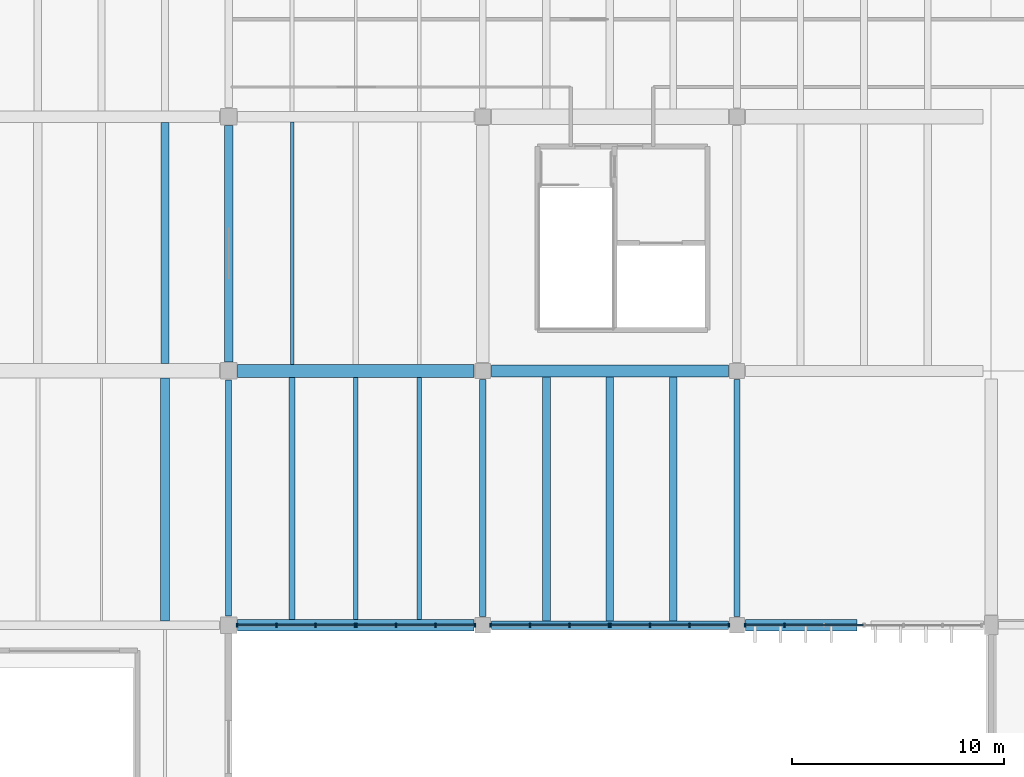
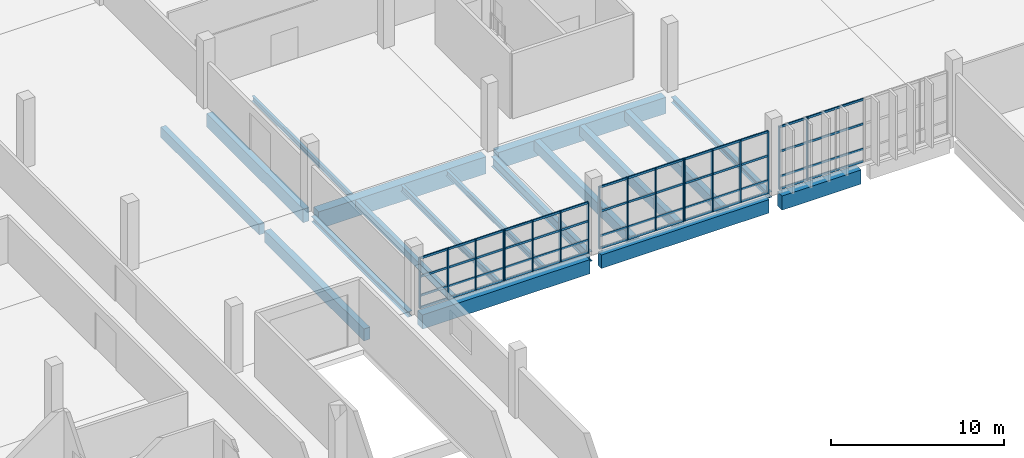
# One storey, part 27 of 112: 38 members, 18 beams, 5 elements without a shape of their own.
"""IFC4 building model written with IfcOpenShell, lengths in metres."""

from ifc_helpers import new_model, si_unit, direction, frame, origin, origin_2d, place, context, subcontext, project, spatial, rectangle, i_section, extrude, material, material_profile, profile_set, type_object, element, aggregate, save


model = new_model("IFC4")

# Units and contexts
model_context = context("Model", 3, precision=1e-05, world=origin(), true_north=direction((0.0, 1.0)))
body_context = subcontext(model_context, "Body", "Model", "MODEL_VIEW")
ifc_project = project(units=[si_unit("LENGTHUNIT", "METRE"), si_unit("AREAUNIT", "SQUARE_METRE"), si_unit("VOLUMEUNIT", "CUBIC_METRE"), si_unit("PLANEANGLEUNIT", "RADIAN"), si_unit("MASSUNIT", "GRAM", prefix="KILO")], contexts=[model_context])

# Site, building, storey
site_placement = place(None, origin())
site = spatial("IfcSite", under=ifc_project, at=site_placement, CompositionType="ELEMENT")
building_placement = place(site_placement, origin())
building = spatial("IfcBuilding", under=site, at=building_placement, Name="Kamomehara Wholesale Market", CompositionType="ELEMENT")
storey_placement = place(building_placement, frame((0.0, 0.0, 6.60009765625)))
storey = spatial("IfcBuildingStorey", under=building, at=storey_placement, Name="L01", CompositionType="ELEMENT", Elevation=6.60009765625)

# Beams
ifc_material_1 = material(Name="Precast concrete Fc45 (C40/50)", Category="concrete")
ifc_material_profile_1 = material_profile(ifc_material_1, rectangle(XDim=0.550048828125, YDim=1.14990234375, at=origin_2d()), Name="PC-GRD-550x1150")
ifc_profile_set_1 = profile_set([ifc_material_profile_1], Name="Precast concrete Fc45 (C40/50)")
beam_type_1 = type_object("IfcBeamType", Name="BM-PG1150", PredefinedType="T_BEAM", material=ifc_profile_set_1)
beam_1_placement = place(storey_placement, frame((48.409912109375, 120.0, -0.927001953125), z_axis=(1.0, 0.0, 0.0), x_axis=(0.0, 1.0, 0.0)))
element("IfcBeam", 1, at=beam_1_placement, inside=storey, type_object=beam_type_1, Name="Beam PG-06 L01", PredefinedType="T_BEAM", context=body_context, shape_type="SweptSolid", body=[
    extrude(rectangle(XDim=0.550048828125, YDim=1.14990234375, at=origin_2d()), origin(), (0.0, 0.0, 1.0), 11.18017578125),
])
ifc_material_2 = material(Name="Precast concrete Fc45 (C40/50)", Category="concrete")
ifc_material_profile_2 = material_profile(ifc_material_2, rectangle(XDim=0.60009765625, YDim=1.199951171875, at=origin_2d()), Name="PC-GRD-600x1200")
ifc_profile_set_2 = profile_set([ifc_material_profile_2], Name="Precast concrete Fc45 (C40/50)")
beam_type_2 = type_object("IfcBeamType", Name="BM-PG1200", PredefinedType="T_BEAM", material=ifc_profile_set_2)
beam_2_placement = place(storey_placement, frame((36.425048828125, 120.0, -0.922119140625), z_axis=(1.0, 0.0, 0.0), x_axis=(0.0, 1.0, 0.0)))
element("IfcBeam", 2, at=beam_2_placement, inside=storey, type_object=beam_type_2, Name="Beam PG-05 L01", PredefinedType="T_BEAM", context=body_context, shape_type="SweptSolid", body=[
    extrude(rectangle(XDim=0.60009765625, YDim=1.199951171875, at=origin_2d()), origin(), (0.0, 0.0, 1.0), 11.1650390625),
])
ifc_material_3 = material(Name="Precast concrete Fc45 (C40/50)", Category="concrete")
ifc_material_profile_3 = material_profile(ifc_material_3, rectangle(XDim=0.280029296875, YDim=0.5, at=origin_2d()), Name="PC-JST-280x500")
ifc_profile_set_3 = profile_set([ifc_material_profile_3], Name="Precast concrete Fc45 (C40/50)")
beam_type_3 = type_object("IfcBeamType", Name="BM-PJ500", PredefinedType="JOIST", material=ifc_profile_set_3)
beam_3_placement = place(storey_placement, frame((39.0, 108.27490234375, -0.572021484375), z_axis=(0.0, 1.0, 0.0), x_axis=(-1.0, 0.0, 0.0)))
element("IfcBeam", 3, at=beam_3_placement, inside=storey, type_object=beam_type_3, Name="Beam PJ-11 L01", PredefinedType="JOIST", context=body_context, shape_type="SweptSolid", body=[
    extrude(rectangle(XDim=0.280029296875, YDim=0.5, at=origin_2d()), origin(), (0.0, 0.0, 1.0), 11.425048828125),
])
ifc_material_4 = material(Name="Precast concrete Fc45 (C40/50)", Category="concrete")
ifc_material_profile_4 = material_profile(ifc_material_4, rectangle(XDim=0.35009765625, YDim=0.699951171875, at=origin_2d()), Name="PC-JST-350x700")
ifc_profile_set_4 = profile_set([ifc_material_profile_4], Name="Precast concrete Fc45 (C40/50)")
beam_type_4 = type_object("IfcBeamType", Name="BM-PJ700", PredefinedType="JOIST", material=ifc_profile_set_4)
beam_4_placement = place(storey_placement, frame((57.0, 108.199951171875, -0.68212890625), z_axis=(0.0, 1.0, 0.0), x_axis=(-1.0, 0.0, 0.0)))
element("IfcBeam", 4, at=beam_4_placement, inside=storey, type_object=beam_type_4, Name="Beam PJ-03 L01", PredefinedType="JOIST", context=body_context, shape_type="SweptSolid", body=[
    extrude(rectangle(XDim=0.35009765625, YDim=0.699951171875, at=origin_2d()), origin(), (0.0, 0.0, 1.0), 11.525146484375),
])
ifc_material_5 = material(Name="Precast concrete Fc45 (C40/50)", Category="concrete")
ifc_material_profile_5 = material_profile(ifc_material_5, rectangle(XDim=0.360107421875, YDim=0.719970703125, at=origin_2d()), Name="PC-JST-360x720")
ifc_profile_set_5 = profile_set([ifc_material_profile_5], Name="Precast concrete Fc45 (C40/50)")
beam_type_5 = type_object("IfcBeamType", Name="BM-PJ720", PredefinedType="JOIST", material=ifc_profile_set_5)
beam_5_placement = place(storey_placement, frame((33.0, 120.340087890625, -0.712158203125), z_axis=(0.0, 1.0, 0.0), x_axis=(-1.0, 0.0, 0.0)))
element("IfcBeam", 5, at=beam_5_placement, inside=storey, type_object=beam_type_5, Name="Beam PJ-08 L01", PredefinedType="JOIST", context=body_context, shape_type="SweptSolid", body=[
    extrude(rectangle(XDim=0.360107421875, YDim=0.719970703125, at=origin_2d()), origin(), (0.0, 0.0, 1.0), 11.385009765625),
])
beam_6_placement = place(storey_placement, frame((54.0, 108.199951171875, -0.692138671875), z_axis=(0.0, 1.0, 0.0), x_axis=(-1.0, 0.0, 0.0)))
element("IfcBeam", 6, at=beam_6_placement, inside=storey, type_object=beam_type_5, Name="Beam PJ-08 L01", PredefinedType="JOIST", context=body_context, shape_type="SweptSolid", body=[
    extrude(rectangle(XDim=0.360107421875, YDim=0.719970703125, at=origin_2d()), origin(), (0.0, 0.0, 1.0), 11.525146484375),
])
ifc_material_6 = material(Name="Precast concrete Fc45 (C40/50)", Category="concrete")
ifc_material_profile_6 = material_profile(ifc_material_6, rectangle(XDim=0.3798828125, YDim=0.75, at=origin_2d()), Name="PC-JST-380x750")
ifc_profile_set_6 = profile_set([ifc_material_profile_6], Name="Precast concrete Fc45 (C40/50)")
beam_type_6 = type_object("IfcBeamType", Name="BM-PJ750", PredefinedType="JOIST", material=ifc_profile_set_6)
beam_7_placement = place(storey_placement, frame((51.0, 108.199951171875, -0.70703125), z_axis=(0.0, 1.0, 0.0), x_axis=(-1.0, 0.0, 0.0)))
element("IfcBeam", 7, at=beam_7_placement, inside=storey, type_object=beam_type_6, Name="Beam PJ-02 L01", PredefinedType="JOIST", context=body_context, shape_type="SweptSolid", body=[
    extrude(rectangle(XDim=0.3798828125, YDim=0.75, at=origin_2d()), origin(), (0.0, 0.0, 1.0), 11.525146484375),
])
ifc_material_7 = material(Name="Precast concrete Fc45 (C40/50)", Category="concrete")
ifc_material_profile_7 = material_profile(ifc_material_7, rectangle(XDim=0.419921875, YDim=0.840087890625, at=origin_2d()), Name="PC-JST-420x840")
ifc_profile_set_7 = profile_set([ifc_material_profile_7], Name="Precast concrete Fc45 (C40/50)")
beam_type_7 = type_object("IfcBeamType", Name="BM-PJ840", PredefinedType="JOIST", material=ifc_profile_set_7)
beam_8_placement = place(storey_placement, frame((33.0, 108.199951171875, -0.752197265625), z_axis=(0.0, 1.0, 0.0), x_axis=(-1.0, 0.0, 0.0)))
element("IfcBeam", 8, at=beam_8_placement, inside=storey, type_object=beam_type_7, Name="Beam PJ-07 L01", PredefinedType="JOIST", context=body_context, shape_type="SweptSolid", body=[
    extrude(rectangle(XDim=0.419921875, YDim=0.840087890625, at=origin_2d()), origin(), (0.0, 0.0, 1.0), 11.4599609375),
])
ifc_material_8 = material(Name="Concrete Fc36 (C35/45)", Category="concrete")
ifc_material_profile_8 = material_profile(ifc_material_8, rectangle(XDim=0.550048828125, YDim=1.0, at=origin_2d()), Name="RC-SEB-550x1000")
ifc_profile_set_8 = profile_set([ifc_material_profile_8], Name="Concrete Fc36 (C35/45)")
beam_type_8 = type_object("IfcBeamType", Name="BM-SEB1000-EXT", PredefinedType="SPANDREL", material=ifc_profile_set_8)
beam_9_placement = place(storey_placement, frame((36.425048828125, 108.0, -0.822021484375), z_axis=(1.0, 0.0, 0.0), x_axis=(0.0, 1.0, 0.0)))
element("IfcBeam", 9, at=beam_9_placement, inside=storey, type_object=beam_type_8, Name="Beam SEB-03E L01", PredefinedType="SPANDREL", context=body_context, shape_type="SweptSolid", body=[
    extrude(rectangle(XDim=0.550048828125, YDim=1.0, at=origin_2d()), origin(), (0.0, 0.0, 1.0), 11.1650390625),
])
beam_10_placement = place(storey_placement, frame((60.409912109375, 108.0, -0.83203125), z_axis=(1.0, 0.0, 0.0), x_axis=(0.0, 1.0, 0.0)))
element("IfcBeam", 10, at=beam_10_placement, inside=storey, type_object=beam_type_8, Name="Beam SEB-03E L01", PredefinedType="SPANDREL", context=body_context, shape_type="SweptSolid", body=[
    extrude(rectangle(XDim=0.550048828125, YDim=1.0, at=origin_2d()), origin(), (0.0, 0.0, 1.0), 5.26513671875),
])
ifc_material_9 = material(Name="Precast concrete Fc45 (C40/50)", Category="concrete")
ifc_material_profile_9 = material_profile(ifc_material_9, rectangle(XDim=0.39990234375, YDim=0.949951171875, at=origin_2d()), Name="PC-SPN-400x950")
ifc_profile_set_9 = profile_set([ifc_material_profile_9], Name="Precast concrete Fc45 (C40/50)")
beam_type_9 = type_object("IfcBeamType", Name="BM-SPN950-EXT", PredefinedType="SPANDREL", material=ifc_profile_set_9)
beam_11_placement = place(storey_placement, frame((48.409912109375, 108.0, -0.80712890625), z_axis=(1.0, 0.0, 0.0), x_axis=(0.0, 1.0, 0.0)))
element("IfcBeam", 11, at=beam_11_placement, inside=storey, type_object=beam_type_9, Name="Beam SPN-01E L01", PredefinedType="SPANDREL", context=body_context, shape_type="SweptSolid", body=[
    extrude(rectangle(XDim=0.39990234375, YDim=0.949951171875, at=origin_2d()), origin(), (0.0, 0.0, 1.0), 11.18017578125),
])
beam_12_placement = place(storey_placement, frame((36.0, 120.425048828125, -0.8271484375), z_axis=(0.0, 1.0, 0.0), x_axis=(-1.0, 0.0, 0.0)))
element("IfcBeam", 12, at=beam_12_placement, inside=storey, type_object=beam_type_9, Name="Beam SPN-01E L01", PredefinedType="SPANDREL", context=body_context, shape_type="SweptSolid", body=[
    extrude(rectangle(XDim=0.39990234375, YDim=0.949951171875, at=origin_2d()), origin(), (0.0, 0.0, 1.0), 11.14990234375),
])
ifc_material_10 = material(Name="Steel SN400B", Category="steel")
ifc_material_profile_10 = material_profile(ifc_material_10, i_section(OverallWidth=0.175048828125, OverallDepth=0.35009765625, WebThickness=0.007080078125, FlangeThickness=0.010986328125, FilletRadius=0.012939453125, at=origin_2d()), Name="H-350x175x7x11")
ifc_profile_set_10 = profile_set([ifc_material_profile_10], Name="Steel SN400B")
beam_type_10 = type_object("IfcBeamType", Name="BM-ST-H350", PredefinedType="JOIST", material=ifc_profile_set_10)
beam_13_placement = place(storey_placement, frame((39.0, 120.300048828125, -0.487060546875), z_axis=(0.0, 1.0, 0.0), x_axis=(-1.0, 0.0, 0.0)))
element("IfcBeam", 13, at=beam_13_placement, inside=storey, type_object=beam_type_10, Name="Beam SJ-04 L01", PredefinedType="JOIST", context=body_context, shape_type="SweptSolid", body=[
    extrude(i_section(OverallWidth=0.175048828125, OverallDepth=0.35009765625, WebThickness=0.007080078125, FlangeThickness=0.010986328125, FilletRadius=0.012939453125, at=origin_2d()), origin(), (0.0, 0.0, 1.0), 11.4599609375),
])
ifc_material_11 = material(Name="Steel SN490B", Category="steel")
ifc_material_profile_11 = material_profile(ifc_material_11, i_section(OverallWidth=0.300048828125, OverallDepth=0.389892578125, WebThickness=0.010009765625, FlangeThickness=0.01611328125, FilletRadius=0.01806640625, at=origin_2d()), Name="H-390x300x10x16")
ifc_profile_set_11 = profile_set([ifc_material_profile_11], Name="Steel SN490B")
beam_type_11 = type_object("IfcBeamType", Name="BM-ST-H390-EXT", PredefinedType="SPANDREL", material=ifc_profile_set_11)
beam_14_placement = place(storey_placement, frame((36.0, 108.425048828125, -0.527099609375), z_axis=(0.0, 1.0, 0.0), x_axis=(-1.0, 0.0, 0.0)))
element("IfcBeam", 14, at=beam_14_placement, inside=storey, type_object=beam_type_11, Name="Beam SJ-03E L01", PredefinedType="SPANDREL", context=body_context, shape_type="SweptSolid", body=[
    extrude(i_section(OverallWidth=0.300048828125, OverallDepth=0.389892578125, WebThickness=0.010009765625, FlangeThickness=0.01611328125, FilletRadius=0.01806640625, at=origin_2d()), origin(), (0.0, 0.0, 1.0), 11.14990234375),
])
beam_15_placement = place(storey_placement, frame((60.0, 108.409912109375, -0.527099609375), z_axis=(0.0, 1.0, 0.0), x_axis=(-1.0, 0.0, 0.0)))
element("IfcBeam", 15, at=beam_15_placement, inside=storey, type_object=beam_type_11, Name="Beam SJ-03E L01", PredefinedType="SPANDREL", context=body_context, shape_type="SweptSolid", body=[
    extrude(i_section(OverallWidth=0.300048828125, OverallDepth=0.389892578125, WebThickness=0.010009765625, FlangeThickness=0.01611328125, FilletRadius=0.01806640625, at=origin_2d()), origin(), (0.0, 0.0, 1.0), 11.18017578125),
])
ifc_material_12 = material(Name="Steel SN400B", Category="steel")
ifc_material_profile_12 = material_profile(ifc_material_12, i_section(OverallWidth=0.199951171875, OverallDepth=0.39990234375, WebThickness=0.008056640625, FlangeThickness=0.012939453125, FilletRadius=0.012939453125, at=origin_2d()), Name="H-400x200x8x13")
ifc_profile_set_12 = profile_set([ifc_material_profile_12], Name="Steel SN400B")
beam_type_12 = type_object("IfcBeamType", Name="BM-ST-H400", PredefinedType="JOIST", material=ifc_profile_set_12)
beam_16_placement = place(storey_placement, frame((45.0, 108.27490234375, -0.522216796875), z_axis=(0.0, 1.0, 0.0), x_axis=(-1.0, 0.0, 0.0)))
element("IfcBeam", 16, at=beam_16_placement, inside=storey, type_object=beam_type_12, Name="Beam SJ-02 L01", PredefinedType="JOIST", context=body_context, shape_type="SweptSolid", body=[
    extrude(i_section(OverallWidth=0.199951171875, OverallDepth=0.39990234375, WebThickness=0.008056640625, FlangeThickness=0.012939453125, FilletRadius=0.012939453125, at=origin_2d()), origin(), (0.0, 0.0, 1.0), 11.425048828125),
])
ifc_material_13 = material(Name="Steel SN400B", Category="steel")
ifc_material_profile_13 = material_profile(ifc_material_13, i_section(OverallWidth=0.199951171875, OverallDepth=0.449951171875, WebThickness=0.009033203125, FlangeThickness=0.013916015625, FilletRadius=0.012939453125, at=origin_2d()), Name="H-450x200x9x14")
ifc_profile_set_13 = profile_set([ifc_material_profile_13], Name="Steel SN400B")
beam_type_13 = type_object("IfcBeamType", Name="BM-ST-H450", PredefinedType="JOIST", material=ifc_profile_set_13)
beam_17_placement = place(storey_placement, frame((42.0, 108.27490234375, -0.547119140625), z_axis=(0.0, 1.0, 0.0), x_axis=(-1.0, 0.0, 0.0)))
element("IfcBeam", 17, at=beam_17_placement, inside=storey, type_object=beam_type_13, Name="Beam SJ-01 L01", PredefinedType="JOIST", context=body_context, shape_type="SweptSolid", body=[
    extrude(i_section(OverallWidth=0.199951171875, OverallDepth=0.449951171875, WebThickness=0.009033203125, FlangeThickness=0.013916015625, FilletRadius=0.012939453125, at=origin_2d()), origin(), (0.0, 0.0, 1.0), 11.425048828125),
])
ifc_material_14 = material(Name="Steel SN490B", Category="steel")
ifc_material_profile_14 = material_profile(ifc_material_14, i_section(OverallWidth=0.300048828125, OverallDepth=0.699951171875, WebThickness=0.012939453125, FlangeThickness=0.02392578125, FilletRadius=0.02197265625, at=origin_2d()), Name="H-700x300x13x24")
ifc_profile_set_14 = profile_set([ifc_material_profile_14], Name="Steel SN490B")
beam_type_14 = type_object("IfcBeamType", Name="BM-ST-H700", PredefinedType="BEAM", material=ifc_profile_set_14)
beam_18_placement = place(storey_placement, frame((48.0, 108.409912109375, -0.68212890625), z_axis=(0.0, 1.0, 0.0), x_axis=(-1.0, 0.0, 0.0)))
element("IfcBeam", 18, at=beam_18_placement, inside=storey, type_object=beam_type_14, Name="Beam SG-03 L01", PredefinedType="BEAM", context=body_context, shape_type="SweptSolid", body=[
    extrude(i_section(OverallWidth=0.300048828125, OverallDepth=0.699951171875, WebThickness=0.012939453125, FlangeThickness=0.02392578125, FilletRadius=0.02197265625, at=origin_2d()), origin(), (0.0, 0.0, 1.0), 11.18017578125),
])

# Curtain wall, members
ifc_material_15 = material(Name="Anodised aluminium 6063-T5", Category="aluminium")
curtain_wall_type = type_object("IfcCurtainWallType", Name="CW-UN-02", PredefinedType="NOTDEFINED", material=ifc_material_15)
curtain_wall_1_placement = place(storey_placement, origin())
curtain_wall_1 = element("IfcCurtainWall", 19, at=curtain_wall_1_placement, inside=storey, type_object=curtain_wall_type, Name="Unitised curtain wall CW-051", PredefinedType="NOTDEFINED")
ifc_material_16 = material(Name="Anodised aluminium 6063-T5", Category="aluminium")
ifc_material_profile_15 = material_profile(ifc_material_16, rectangle(XDim=0.074951171875, YDim=0.179931640625, at=origin_2d()), Name="ALU-MUL-75x180")
ifc_profile_set_15 = profile_set([ifc_material_profile_15], Name="Anodised aluminium 6063-T5")
member_type_1 = type_object("IfcMemberType", Name="CW-MUL-180", PredefinedType="MULLION", material=ifc_profile_set_15)
member_1_placement = place(storey_placement, frame((47.6298828125, 108.0, 0.0), z_axis=(0.0, 0.0, 1.0), x_axis=(-1.0, 0.0, 0.0)))
member_1 = element("IfcMember", 20, at=member_1_placement, type_object=member_type_1, Name="Mullion CW-051.0", PredefinedType="MULLION", context=body_context, shape_type="SweptSolid", body=[
    extrude(rectangle(XDim=0.074951171875, YDim=0.179931640625, at=origin_2d()), origin(), (0.0, 0.0, 1.0), 3.56884765625),
])
member_2_placement = place(storey_placement, frame((45.762939453125, 108.0, 0.0), z_axis=(0.0, 0.0, 1.0), x_axis=(-1.0, 0.0, 0.0)))
member_2 = element("IfcMember", 21, at=member_2_placement, type_object=member_type_1, Name="Mullion CW-051.1", PredefinedType="MULLION", context=body_context, shape_type="SweptSolid", body=[
    extrude(rectangle(XDim=0.074951171875, YDim=0.179931640625, at=origin_2d()), origin(), (0.0, 0.0, 1.0), 3.56884765625),
])
member_3_placement = place(storey_placement, frame((43.89697265625, 108.0, 0.0), z_axis=(0.0, 0.0, 1.0), x_axis=(-1.0, 0.0, 0.0)))
member_3 = element("IfcMember", 22, at=member_3_placement, type_object=member_type_1, Name="Mullion CW-051.2", PredefinedType="MULLION", context=body_context, shape_type="SweptSolid", body=[
    extrude(rectangle(XDim=0.074951171875, YDim=0.179931640625, at=origin_2d()), origin(), (0.0, 0.0, 1.0), 3.56884765625),
])
member_4_placement = place(storey_placement, frame((42.030029296875, 108.0, 0.0), z_axis=(0.0, 0.0, 1.0), x_axis=(-1.0, 0.0, 0.0)))
member_4 = element("IfcMember", 23, at=member_4_placement, type_object=member_type_1, Name="Mullion CW-051.3", PredefinedType="MULLION", context=body_context, shape_type="SweptSolid", body=[
    extrude(rectangle(XDim=0.074951171875, YDim=0.179931640625, at=origin_2d()), origin(), (0.0, 0.0, 1.0), 3.56884765625),
])

curtain_wall_2_placement = place(storey_placement, origin())
curtain_wall_2 = element("IfcCurtainWall", 24, at=curtain_wall_2_placement, inside=storey, type_object=curtain_wall_type, Name="Unitised curtain wall CW-052", PredefinedType="NOTDEFINED")
member_5_placement = place(storey_placement, frame((41.969970703125, 108.0, 0.0), z_axis=(0.0, 0.0, 1.0), x_axis=(-1.0, 0.0, 0.0)))
member_5 = element("IfcMember", 25, at=member_5_placement, type_object=member_type_1, Name="Mullion CW-052.0", PredefinedType="MULLION", context=body_context, shape_type="SweptSolid", body=[
    extrude(rectangle(XDim=0.074951171875, YDim=0.179931640625, at=origin_2d()), origin(), (0.0, 0.0, 1.0), 3.56884765625),
])
member_6_placement = place(storey_placement, frame((40.113037109375, 108.0, 0.0), z_axis=(0.0, 0.0, 1.0), x_axis=(-1.0, 0.0, 0.0)))
member_6 = element("IfcMember", 26, at=member_6_placement, type_object=member_type_1, Name="Mullion CW-052.1", PredefinedType="MULLION", context=body_context, shape_type="SweptSolid", body=[
    extrude(rectangle(XDim=0.074951171875, YDim=0.179931640625, at=origin_2d()), origin(), (0.0, 0.0, 1.0), 3.56884765625),
])
member_7_placement = place(storey_placement, frame((38.257080078125, 108.0, 0.0), z_axis=(0.0, 0.0, 1.0), x_axis=(-1.0, 0.0, 0.0)))
member_7 = element("IfcMember", 27, at=member_7_placement, type_object=member_type_1, Name="Mullion CW-052.2", PredefinedType="MULLION", context=body_context, shape_type="SweptSolid", body=[
    extrude(rectangle(XDim=0.074951171875, YDim=0.179931640625, at=origin_2d()), origin(), (0.0, 0.0, 1.0), 3.56884765625),
])
member_8_placement = place(storey_placement, frame((36.39990234375, 108.0, 0.0), z_axis=(0.0, 0.0, 1.0), x_axis=(-1.0, 0.0, 0.0)))
member_8 = element("IfcMember", 28, at=member_8_placement, type_object=member_type_1, Name="Mullion CW-052.3", PredefinedType="MULLION", context=body_context, shape_type="SweptSolid", body=[
    extrude(rectangle(XDim=0.074951171875, YDim=0.179931640625, at=origin_2d()), origin(), (0.0, 0.0, 1.0), 3.56884765625),
])

curtain_wall_3_placement = place(storey_placement, origin())
curtain_wall_3 = element("IfcCurtainWall", 29, at=curtain_wall_3_placement, inside=storey, type_object=curtain_wall_type, Name="Unitised curtain wall CW-055", PredefinedType="NOTDEFINED")
member_9_placement = place(storey_placement, frame((59.6298828125, 108.0, 0.0), z_axis=(0.0, 0.0, 1.0), x_axis=(-1.0, 0.0, 0.0)))
member_9 = element("IfcMember", 30, at=member_9_placement, type_object=member_type_1, Name="Mullion CW-055.0", PredefinedType="MULLION", context=body_context, shape_type="SweptSolid", body=[
    extrude(rectangle(XDim=0.074951171875, YDim=0.179931640625, at=origin_2d()), origin(), (0.0, 0.0, 1.0), 4.3798828125),
])
member_10_placement = place(storey_placement, frame((57.762939453125, 108.0, 0.0), z_axis=(0.0, 0.0, 1.0), x_axis=(-1.0, 0.0, 0.0)))
member_10 = element("IfcMember", 31, at=member_10_placement, type_object=member_type_1, Name="Mullion CW-055.1", PredefinedType="MULLION", context=body_context, shape_type="SweptSolid", body=[
    extrude(rectangle(XDim=0.074951171875, YDim=0.179931640625, at=origin_2d()), origin(), (0.0, 0.0, 1.0), 4.3798828125),
])
member_11_placement = place(storey_placement, frame((55.89697265625, 108.0, 0.0), z_axis=(0.0, 0.0, 1.0), x_axis=(-1.0, 0.0, 0.0)))
member_11 = element("IfcMember", 32, at=member_11_placement, type_object=member_type_1, Name="Mullion CW-055.2", PredefinedType="MULLION", context=body_context, shape_type="SweptSolid", body=[
    extrude(rectangle(XDim=0.074951171875, YDim=0.179931640625, at=origin_2d()), origin(), (0.0, 0.0, 1.0), 4.3798828125),
])
member_12_placement = place(storey_placement, frame((54.030029296875, 108.0, 0.0), z_axis=(0.0, 0.0, 1.0), x_axis=(-1.0, 0.0, 0.0)))
member_12 = element("IfcMember", 33, at=member_12_placement, type_object=member_type_1, Name="Mullion CW-055.3", PredefinedType="MULLION", context=body_context, shape_type="SweptSolid", body=[
    extrude(rectangle(XDim=0.074951171875, YDim=0.179931640625, at=origin_2d()), origin(), (0.0, 0.0, 1.0), 4.3798828125),
])

curtain_wall_4_placement = place(storey_placement, origin())
curtain_wall_4 = element("IfcCurtainWall", 34, at=curtain_wall_4_placement, inside=storey, type_object=curtain_wall_type, Name="Unitised curtain wall CW-056", PredefinedType="NOTDEFINED")
member_13_placement = place(storey_placement, frame((53.969970703125, 108.0, 0.0), z_axis=(0.0, 0.0, 1.0), x_axis=(-1.0, 0.0, 0.0)))
member_13 = element("IfcMember", 35, at=member_13_placement, type_object=member_type_1, Name="Mullion CW-056.0", PredefinedType="MULLION", context=body_context, shape_type="SweptSolid", body=[
    extrude(rectangle(XDim=0.074951171875, YDim=0.179931640625, at=origin_2d()), origin(), (0.0, 0.0, 1.0), 4.3798828125),
])
member_14_placement = place(storey_placement, frame((52.10302734375, 108.0, 0.0), z_axis=(0.0, 0.0, 1.0), x_axis=(-1.0, 0.0, 0.0)))
member_14 = element("IfcMember", 36, at=member_14_placement, type_object=member_type_1, Name="Mullion CW-056.1", PredefinedType="MULLION", context=body_context, shape_type="SweptSolid", body=[
    extrude(rectangle(XDim=0.074951171875, YDim=0.179931640625, at=origin_2d()), origin(), (0.0, 0.0, 1.0), 4.3798828125),
])
member_15_placement = place(storey_placement, frame((50.237060546875, 108.0, 0.0), z_axis=(0.0, 0.0, 1.0), x_axis=(-1.0, 0.0, 0.0)))
member_15 = element("IfcMember", 37, at=member_15_placement, type_object=member_type_1, Name="Mullion CW-056.2", PredefinedType="MULLION", context=body_context, shape_type="SweptSolid", body=[
    extrude(rectangle(XDim=0.074951171875, YDim=0.179931640625, at=origin_2d()), origin(), (0.0, 0.0, 1.0), 4.3798828125),
])
member_16_placement = place(storey_placement, frame((48.3701171875, 108.0, 0.0), z_axis=(0.0, 0.0, 1.0), x_axis=(-1.0, 0.0, 0.0)))
member_16 = element("IfcMember", 38, at=member_16_placement, type_object=member_type_1, Name="Mullion CW-056.3", PredefinedType="MULLION", context=body_context, shape_type="SweptSolid", body=[
    extrude(rectangle(XDim=0.074951171875, YDim=0.179931640625, at=origin_2d()), origin(), (0.0, 0.0, 1.0), 4.3798828125),
])

curtain_wall_5_placement = place(storey_placement, origin())
curtain_wall_5 = element("IfcCurtainWall", 39, at=curtain_wall_5_placement, inside=storey, type_object=curtain_wall_type, Name="Unitised curtain wall CW-060", PredefinedType="NOTDEFINED")
member_17_placement = place(storey_placement, frame((62.237060546875, 108.0, 0.0), z_axis=(0.0, 0.0, 1.0), x_axis=(-1.0, 0.0, 0.0)))
member_17 = element("IfcMember", 40, at=member_17_placement, type_object=member_type_1, Name="Mullion CW-060.2", PredefinedType="MULLION", context=body_context, shape_type="SweptSolid", body=[
    extrude(rectangle(XDim=0.074951171875, YDim=0.179931640625, at=origin_2d()), origin(), (0.0, 0.0, 1.0), 4.429931640625),
])
member_18_placement = place(storey_placement, frame((60.3701171875, 108.0, 0.0), z_axis=(0.0, 0.0, 1.0), x_axis=(-1.0, 0.0, 0.0)))
member_18 = element("IfcMember", 41, at=member_18_placement, type_object=member_type_1, Name="Mullion CW-060.3", PredefinedType="MULLION", context=body_context, shape_type="SweptSolid", body=[
    extrude(rectangle(XDim=0.074951171875, YDim=0.179931640625, at=origin_2d()), origin(), (0.0, 0.0, 1.0), 4.429931640625),
])

# Member
ifc_material_17 = material(Name="Anodised aluminium 6063-T5", Category="aluminium")
ifc_material_profile_16 = material_profile(ifc_material_17, rectangle(XDim=0.074951171875, YDim=0.14990234375, at=origin_2d()), Name="ALU-TRN-75x150")
ifc_profile_set_16 = profile_set([ifc_material_profile_16], Name="Anodised aluminium 6063-T5")
member_type_2 = type_object("IfcMemberType", Name="CW-TRN-150", PredefinedType="USERDEFINED", material=ifc_profile_set_16)
member_19_placement = place(storey_placement, frame((47.6298828125, 108.0, 0.039794921875), z_axis=(-1.0, 0.0, 0.0), x_axis=(0.0, -1.0, 0.0)))
member_19 = element("IfcMember", 42, at=member_19_placement, type_object=member_type_2, Name="Transom CW-051.0", ObjectType="TRANSOM", PredefinedType="USERDEFINED", context=body_context, shape_type="SweptSolid", body=[
    extrude(rectangle(XDim=0.074951171875, YDim=0.14990234375, at=origin_2d()), origin(), (0.0, 0.0, 1.0), 5.599853515625),
])

member_20_placement = place(storey_placement, frame((47.6298828125, 108.0, 0.89990234375), z_axis=(-1.0, 0.0, 0.0), x_axis=(0.0, -1.0, 0.0)))
member_20 = element("IfcMember", 43, at=member_20_placement, type_object=member_type_2, Name="Transom CW-051.1", ObjectType="TRANSOM", PredefinedType="USERDEFINED", context=body_context, shape_type="SweptSolid", body=[
    extrude(rectangle(XDim=0.074951171875, YDim=0.14990234375, at=origin_2d()), origin(), (0.0, 0.0, 1.0), 5.599853515625),
])

member_21_placement = place(storey_placement, frame((47.6298828125, 108.0, 2.23486328125), z_axis=(-1.0, 0.0, 0.0), x_axis=(0.0, -1.0, 0.0)))
member_21 = element("IfcMember", 44, at=member_21_placement, type_object=member_type_2, Name="Transom CW-051.2", ObjectType="TRANSOM", PredefinedType="USERDEFINED", context=body_context, shape_type="SweptSolid", body=[
    extrude(rectangle(XDim=0.074951171875, YDim=0.14990234375, at=origin_2d()), origin(), (0.0, 0.0, 1.0), 5.599853515625),
])

member_22_placement = place(storey_placement, frame((47.6298828125, 108.0, 3.52880859375), z_axis=(-1.0, 0.0, 0.0), x_axis=(0.0, -1.0, 0.0)))
member_22 = element("IfcMember", 45, at=member_22_placement, type_object=member_type_2, Name="Transom CW-051.3", ObjectType="TRANSOM", PredefinedType="USERDEFINED", context=body_context, shape_type="SweptSolid", body=[
    extrude(rectangle(XDim=0.074951171875, YDim=0.14990234375, at=origin_2d()), origin(), (0.0, 0.0, 1.0), 5.599853515625),
])

aggregate(curtain_wall_1, [member_1, member_2, member_3, member_4, member_19, member_20, member_21, member_22])

member_23_placement = place(storey_placement, frame((41.969970703125, 108.0, 0.039794921875), z_axis=(-1.0, 0.0, 0.0), x_axis=(0.0, -1.0, 0.0)))
member_23 = element("IfcMember", 46, at=member_23_placement, type_object=member_type_2, Name="Transom CW-052.0", ObjectType="TRANSOM", PredefinedType="USERDEFINED", context=body_context, shape_type="SweptSolid", body=[
    extrude(rectangle(XDim=0.074951171875, YDim=0.14990234375, at=origin_2d()), origin(), (0.0, 0.0, 1.0), 5.570068359375),
])

member_24_placement = place(storey_placement, frame((41.969970703125, 108.0, 0.89990234375), z_axis=(-1.0, 0.0, 0.0), x_axis=(0.0, -1.0, 0.0)))
member_24 = element("IfcMember", 47, at=member_24_placement, type_object=member_type_2, Name="Transom CW-052.1", ObjectType="TRANSOM", PredefinedType="USERDEFINED", context=body_context, shape_type="SweptSolid", body=[
    extrude(rectangle(XDim=0.074951171875, YDim=0.14990234375, at=origin_2d()), origin(), (0.0, 0.0, 1.0), 5.570068359375),
])

member_25_placement = place(storey_placement, frame((41.969970703125, 108.0, 2.23486328125), z_axis=(-1.0, 0.0, 0.0), x_axis=(0.0, -1.0, 0.0)))
member_25 = element("IfcMember", 48, at=member_25_placement, type_object=member_type_2, Name="Transom CW-052.2", ObjectType="TRANSOM", PredefinedType="USERDEFINED", context=body_context, shape_type="SweptSolid", body=[
    extrude(rectangle(XDim=0.074951171875, YDim=0.14990234375, at=origin_2d()), origin(), (0.0, 0.0, 1.0), 5.570068359375),
])

member_26_placement = place(storey_placement, frame((41.969970703125, 108.0, 3.52880859375), z_axis=(-1.0, 0.0, 0.0), x_axis=(0.0, -1.0, 0.0)))
member_26 = element("IfcMember", 49, at=member_26_placement, type_object=member_type_2, Name="Transom CW-052.3", ObjectType="TRANSOM", PredefinedType="USERDEFINED", context=body_context, shape_type="SweptSolid", body=[
    extrude(rectangle(XDim=0.074951171875, YDim=0.14990234375, at=origin_2d()), origin(), (0.0, 0.0, 1.0), 5.570068359375),
])

aggregate(curtain_wall_2, [member_5, member_6, member_7, member_8, member_23, member_24, member_25, member_26])

member_27_placement = place(storey_placement, frame((59.6298828125, 108.0, 0.039794921875), z_axis=(-1.0, 0.0, 0.0), x_axis=(0.0, -1.0, 0.0)))
member_27 = element("IfcMember", 50, at=member_27_placement, type_object=member_type_2, Name="Transom CW-055.0", ObjectType="TRANSOM", PredefinedType="USERDEFINED", context=body_context, shape_type="SweptSolid", body=[
    extrude(rectangle(XDim=0.074951171875, YDim=0.14990234375, at=origin_2d()), origin(), (0.0, 0.0, 1.0), 5.599853515625),
])

member_28_placement = place(storey_placement, frame((59.6298828125, 108.0, 0.89990234375), z_axis=(-1.0, 0.0, 0.0), x_axis=(0.0, -1.0, 0.0)))
member_28 = element("IfcMember", 51, at=member_28_placement, type_object=member_type_2, Name="Transom CW-055.1", ObjectType="TRANSOM", PredefinedType="USERDEFINED", context=body_context, shape_type="SweptSolid", body=[
    extrude(rectangle(XDim=0.074951171875, YDim=0.14990234375, at=origin_2d()), origin(), (0.0, 0.0, 1.0), 5.599853515625),
])

member_29_placement = place(storey_placement, frame((59.6298828125, 108.0, 2.639892578125), z_axis=(-1.0, 0.0, 0.0), x_axis=(0.0, -1.0, 0.0)))
member_29 = element("IfcMember", 52, at=member_29_placement, type_object=member_type_2, Name="Transom CW-055.2", ObjectType="TRANSOM", PredefinedType="USERDEFINED", context=body_context, shape_type="SweptSolid", body=[
    extrude(rectangle(XDim=0.074951171875, YDim=0.14990234375, at=origin_2d()), origin(), (0.0, 0.0, 1.0), 5.599853515625),
])

member_30_placement = place(storey_placement, frame((59.6298828125, 108.0, 4.33984375), z_axis=(-1.0, 0.0, 0.0), x_axis=(0.0, -1.0, 0.0)))
member_30 = element("IfcMember", 53, at=member_30_placement, type_object=member_type_2, Name="Transom CW-055.3", ObjectType="TRANSOM", PredefinedType="USERDEFINED", context=body_context, shape_type="SweptSolid", body=[
    extrude(rectangle(XDim=0.074951171875, YDim=0.14990234375, at=origin_2d()), origin(), (0.0, 0.0, 1.0), 5.599853515625),
])

aggregate(curtain_wall_3, [member_9, member_10, member_11, member_12, member_27, member_28, member_29, member_30])

member_31_placement = place(storey_placement, frame((53.969970703125, 108.0, 0.039794921875), z_axis=(-1.0, 0.0, 0.0), x_axis=(0.0, -1.0, 0.0)))
member_31 = element("IfcMember", 54, at=member_31_placement, type_object=member_type_2, Name="Transom CW-056.0", ObjectType="TRANSOM", PredefinedType="USERDEFINED", context=body_context, shape_type="SweptSolid", body=[
    extrude(rectangle(XDim=0.074951171875, YDim=0.14990234375, at=origin_2d()), origin(), (0.0, 0.0, 1.0), 5.599853515625),
])

member_32_placement = place(storey_placement, frame((53.969970703125, 108.0, 0.89990234375), z_axis=(-1.0, 0.0, 0.0), x_axis=(0.0, -1.0, 0.0)))
member_32 = element("IfcMember", 55, at=member_32_placement, type_object=member_type_2, Name="Transom CW-056.1", ObjectType="TRANSOM", PredefinedType="USERDEFINED", context=body_context, shape_type="SweptSolid", body=[
    extrude(rectangle(XDim=0.074951171875, YDim=0.14990234375, at=origin_2d()), origin(), (0.0, 0.0, 1.0), 5.599853515625),
])

member_33_placement = place(storey_placement, frame((53.969970703125, 108.0, 2.639892578125), z_axis=(-1.0, 0.0, 0.0), x_axis=(0.0, -1.0, 0.0)))
member_33 = element("IfcMember", 56, at=member_33_placement, type_object=member_type_2, Name="Transom CW-056.2", ObjectType="TRANSOM", PredefinedType="USERDEFINED", context=body_context, shape_type="SweptSolid", body=[
    extrude(rectangle(XDim=0.074951171875, YDim=0.14990234375, at=origin_2d()), origin(), (0.0, 0.0, 1.0), 5.599853515625),
])

member_34_placement = place(storey_placement, frame((53.969970703125, 108.0, 4.33984375), z_axis=(-1.0, 0.0, 0.0), x_axis=(0.0, -1.0, 0.0)))
member_34 = element("IfcMember", 57, at=member_34_placement, type_object=member_type_2, Name="Transom CW-056.3", ObjectType="TRANSOM", PredefinedType="USERDEFINED", context=body_context, shape_type="SweptSolid", body=[
    extrude(rectangle(XDim=0.074951171875, YDim=0.14990234375, at=origin_2d()), origin(), (0.0, 0.0, 1.0), 5.599853515625),
])

aggregate(curtain_wall_4, [member_13, member_14, member_15, member_16, member_31, member_32, member_33, member_34])

member_35_placement = place(storey_placement, frame((65.969970703125, 108.0, 0.039794921875), z_axis=(-1.0, 0.0, 0.0), x_axis=(0.0, -1.0, 0.0)))
member_35 = element("IfcMember", 58, at=member_35_placement, type_object=member_type_2, Name="Transom CW-060.0", ObjectType="TRANSOM", PredefinedType="USERDEFINED", context=body_context, shape_type="SweptSolid", body=[
    extrude(rectangle(XDim=0.074951171875, YDim=0.14990234375, at=origin_2d()), origin(), (0.0, 0.0, 1.0), 5.599853515625),
])

member_36_placement = place(storey_placement, frame((65.969970703125, 108.0, 0.89990234375), z_axis=(-1.0, 0.0, 0.0), x_axis=(0.0, -1.0, 0.0)))
member_36 = element("IfcMember", 59, at=member_36_placement, type_object=member_type_2, Name="Transom CW-060.1", ObjectType="TRANSOM", PredefinedType="USERDEFINED", context=body_context, shape_type="SweptSolid", body=[
    extrude(rectangle(XDim=0.074951171875, YDim=0.14990234375, at=origin_2d()), origin(), (0.0, 0.0, 1.0), 5.599853515625),
])

member_37_placement = place(storey_placement, frame((65.969970703125, 108.0, 2.664794921875), z_axis=(-1.0, 0.0, 0.0), x_axis=(0.0, -1.0, 0.0)))
member_37 = element("IfcMember", 60, at=member_37_placement, type_object=member_type_2, Name="Transom CW-060.2", ObjectType="TRANSOM", PredefinedType="USERDEFINED", context=body_context, shape_type="SweptSolid", body=[
    extrude(rectangle(XDim=0.074951171875, YDim=0.14990234375, at=origin_2d()), origin(), (0.0, 0.0, 1.0), 5.599853515625),
])

member_38_placement = place(storey_placement, frame((65.969970703125, 108.0, 4.389892578125), z_axis=(-1.0, 0.0, 0.0), x_axis=(0.0, -1.0, 0.0)))
member_38 = element("IfcMember", 61, at=member_38_placement, type_object=member_type_2, Name="Transom CW-060.3", ObjectType="TRANSOM", PredefinedType="USERDEFINED", context=body_context, shape_type="SweptSolid", body=[
    extrude(rectangle(XDim=0.074951171875, YDim=0.14990234375, at=origin_2d()), origin(), (0.0, 0.0, 1.0), 5.599853515625),
])

aggregate(curtain_wall_5, [member_17, member_18, member_35, member_36, member_37, member_38])

save(model, "model.ifc")
